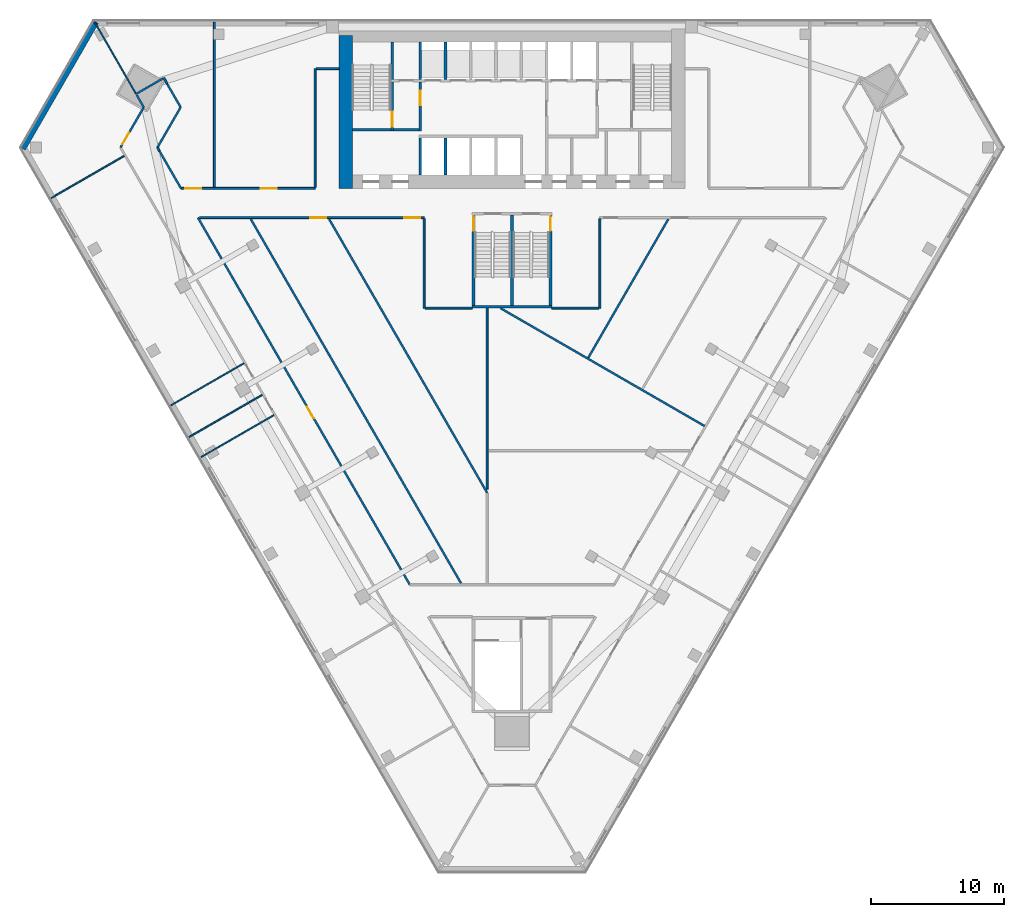
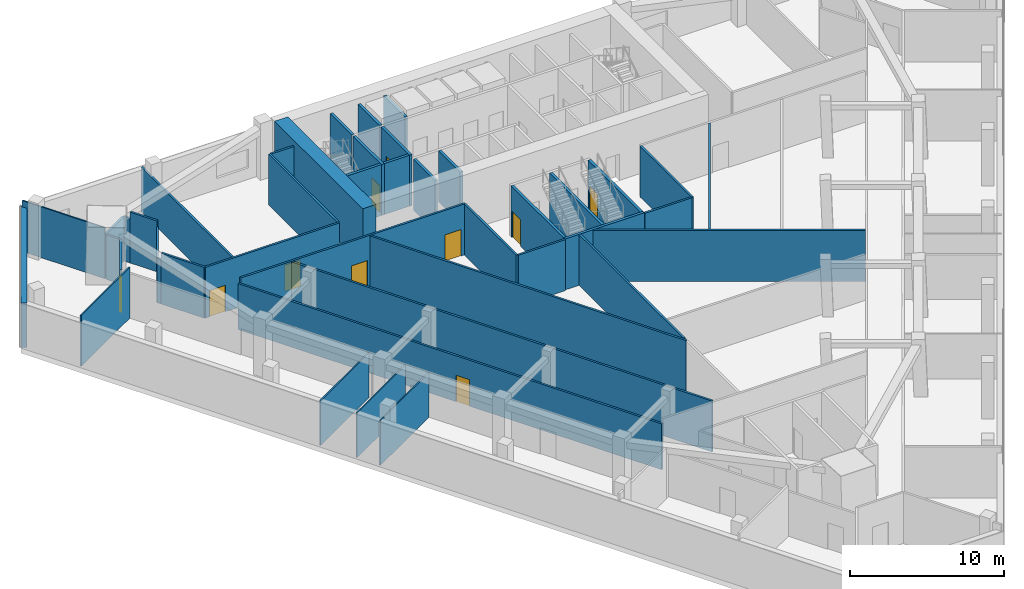
# One storey, part 4 of 9: 43 walls, 10 doors, 10 openings.
"""IFC4 building model written with IfcOpenShell, lengths in metres."""

from ifc_helpers import new_model, si_unit, direction, frame, frame_2d, origin, place, context, subcontext, project, spatial, rectangle, extrude, material, layer, layer_set, type_object, element, fill, save


model = new_model("IFC4")

# Units and contexts
model_context = context("Model", 3, precision=1e-05, world=origin(), true_north=direction((0.0, 1.0)))
body_context = subcontext(model_context, "Body", "Model", "MODEL_VIEW")
ifc_project = project(units=[si_unit("LENGTHUNIT", "METRE"), si_unit("AREAUNIT", "SQUARE_METRE"), si_unit("VOLUMEUNIT", "CUBIC_METRE"), si_unit("PLANEANGLEUNIT", "RADIAN"), si_unit("MASSUNIT", "GRAM", prefix="KILO")], contexts=[model_context])

# Site, building, storey
site_placement = place(None, origin())
site = spatial("IfcSite", under=ifc_project, at=site_placement, CompositionType="ELEMENT")
building_placement = place(site_placement, origin())
building = spatial("IfcBuilding", under=site, at=building_placement, Name="Altiplano Prism Tower", CompositionType="ELEMENT")
storey_placement = place(building_placement, frame((0.0, 0.0, 18.0)))
storey = spatial("IfcBuildingStorey", under=building, at=storey_placement, Name="L03", CompositionType="ELEMENT", Elevation=18.0)

# Walls
ifc_material_1 = material(Name="Concrete C70/85", Category="concrete")
ifc_layer_1 = layer(ifc_material_1, 1.0)
ifc_layer_set_1 = layer_set([ifc_layer_1], Name="Concrete C70/85")
wall_type_1 = type_object("IfcWallType", Name="Core wall 1000", PredefinedType="SHEAR", material=ifc_layer_set_1)
wall_1_placement = place(storey_placement, frame((72.5, 103.89990234375, 0.0), z_axis=(0.0, 0.0, 1.0), x_axis=(0.0, -1.0, 0.0)))
element("IfcWall", 1, at=wall_1_placement, inside=storey, type_object=wall_type_1, Name="Core wall W L03", PredefinedType="SHEAR", context=body_context, shape_type="SweptSolid", body=[
    extrude(rectangle(XDim=11.5, YDim=1.0, at=frame_2d((5.75, 0.0))), origin(), (0.0, 0.0, 1.0), 4.5),
])
ifc_material_2 = material(Name="Plasterboard on steel stud", Category="steel")
ifc_layer_2 = layer(ifc_material_2, 0.10009765625)
ifc_layer_set_2 = layer_set([ifc_layer_2], Name="Plasterboard on steel stud")
wall_type_2 = type_object("IfcWallType", Name="Partition 100 wet", PredefinedType="PARTITIONING", material=ifc_layer_set_2)
wall_2_placement = place(storey_placement, frame((50.368896484375, 91.6826171875, 0.0), z_axis=(0.0, 0.0, 1.0), x_axis=(0.866025537322, 0.499999768706, 0.0)))
element("IfcWall", 2, at=wall_2_placement, inside=storey, type_object=wall_type_2, Name="Partition P03 L03 041", PredefinedType="PARTITIONING", context=body_context, shape_type="SweptSolid", body=[
    extrude(rectangle(XDim=6.3251953125, YDim=0.10009765625, at=frame_2d((3.16259765625, 0.0))), origin(), (0.0, 0.0, 1.0), 4.050048828125),
])
wall_3_placement = place(storey_placement, frame((56.73974609375, 99.5009765625, 0.0), z_axis=(0.0, 0.0, 1.0), x_axis=(-0.500013984911, 0.866017329442, 0.0)))
element("IfcWall", 3, at=wall_3_placement, inside=storey, type_object=wall_type_2, Name="Partition P03 L03 042", PredefinedType="PARTITIONING", context=body_context, shape_type="SweptSolid", body=[
    extrude(rectangle(XDim=6.234130859375, YDim=0.10009765625, at=frame_2d((3.1171875, 0.0))), origin(), (0.0, 0.0, 1.0), 4.050048828125),
])
for number, where, z_axis, x_axis, name in (
    (4, (59.368896484375, 76.09423828125, 0.0), (0.0, 0.0, 1.0), (0.866025537322, 0.499999768706, 0.0), "Partition P03 L03 043"),
    (5, (60.741943359375, 73.716064453125, 0.0), (0.0, 0.0, 1.0), (0.866042250622, 0.499970819286, 0.0), "Partition P03 L03 044"),
    (6, (61.618896484375, 72.197021484375, 0.0), (0.0, 0.0, 1.0), (0.866025537322, 0.499999768706, 0.0), "Partition P03 L03 045"),
):
    element("IfcWall", number, at=place(storey_placement, frame(where, z_axis=z_axis, x_axis=x_axis)), inside=storey, type_object=wall_type_2, Name=name, PredefinedType="PARTITIONING", context=body_context, shape_type="SweptSolid", body=[
        extrude(rectangle(XDim=6.3251953125, YDim=0.10009765625, at=frame_2d((3.16259765625, 0.0))), origin(), (0.0, 0.0, 1.0), 3.550048828125),
    ])
ifc_layer_3 = layer(ifc_material_2, 0.14990234375)
ifc_layer_set_3 = layer_set([ifc_layer_3], Name="Plasterboard on steel stud")
wall_type_3 = type_object("IfcWallType", Name="Partition 150 corridor", PredefinedType="PARTITIONING", material=ifc_layer_set_3)
wall_4_placement = place(storey_placement, frame((56.777099609375, 99.435791015625, 0.0), z_axis=(0.0, 0.0, 1.0), x_axis=(0.500172206961, -0.865925957218, 0.0)))
element("IfcWall", 7, at=wall_4_placement, inside=storey, type_object=wall_type_3, Name="Partition P06 L03 001", PredefinedType="PARTITIONING", context=body_context, shape_type="SweptSolid", body=[
    extrude(rectangle(XDim=1.08056640625, YDim=0.14990234375, at=frame_2d((0.540283203125, 0.0))), origin(), (0.0, 0.0, 1.0), 3.550048828125),
])

# Wall, opening, door
wall_5_placement = place(storey_placement, frame((57.317626953125, 98.5, 0.0), z_axis=(0.0, 0.0, 1.0), x_axis=(-0.500038954607, -0.866002912163, 0.0)))
wall_5 = element("IfcWall", 8, at=wall_5_placement, inside=storey, type_object=wall_type_3, Name="Partition P06 L03 002", PredefinedType="PARTITIONING", context=body_context, shape_type="SweptSolid", body=[
    extrude(rectangle(XDim=3.494384765625, YDim=0.14990234375, at=frame_2d((1.7470703125, 0.0))), origin(), (0.0, 0.0, 1.0), 3.550048828125),
])
opening_1_placement = place(wall_5_placement, frame((2.208984375, 0.0, 0.0)))
opening_1 = element("IfcOpeningElement", 9, at=opening_1_placement, cuts=wall_5, Name="Opening D0082", PredefinedType="OPENING", context=body_context, shape_type="SweptSolid", body=[
    extrude(rectangle(XDim=1.0, YDim=2.10009765625, at=frame_2d((0.5, 1.050048828125))), frame((0.0, 0.08544921875, 0.0), z_axis=(0.0, -1.0, 0.0), x_axis=(1.0, 0.0, 0.0)), (0.0, 0.0, 1.0), 0.1708984375),
])
ifc_material_3 = material(Name="Timber", Category="wood")
door_type_1 = type_object("IfcDoorType", Name="Room door 1000 x 2100", OperationType="NOTDEFINED", PredefinedType="NOTDEFINED", material=ifc_material_3)
door_1_placement = place(opening_1_placement, origin())
door_1 = element("IfcDoor", 10, at=door_1_placement, inside=storey, type_object=door_type_1, Name="Door D0082", OperationType="SINGLE_SWING_RIGHT", OverallHeight=2.10009765625, OverallWidth=1.0, PredefinedType="NOTDEFINED", context=body_context, shape_type="SweptSolid", body=[
    extrude(rectangle(XDim=1.0, YDim=2.10009765625, at=frame_2d((0.5, 1.050048828125))), frame((0.0, 0.02490234375, 0.0), z_axis=(0.0, -1.0, 0.0), x_axis=(1.0, 0.0, 0.0)), (0.0, 0.0, 1.0), 0.050048828125),
])
fill(opening_1, door_1)

wall_6_placement = place(storey_placement, frame((77.32177734375, 62.60107421875, 0.0), z_axis=(0.0, 0.0, 1.0), x_axis=(-0.499998553305, 0.866026239032, 0.0)))
wall_6 = element("IfcWall", 11, at=wall_6_placement, inside=storey, type_object=wall_type_3, Name="Partition P06 L03 009", PredefinedType="PARTITIONING", context=body_context, shape_type="SweptSolid", body=[
    extrude(rectangle(XDim=31.8671875, YDim=0.14990234375, at=frame_2d((15.93359375, 0.0))), origin(), (0.0, 0.0, 1.0), 3.64990234375),
])
opening_2_placement = place(wall_6_placement, frame((14.4560546875, 0.0, 0.0)))
opening_2 = element("IfcOpeningElement", 12, at=opening_2_placement, cuts=wall_6, Name="Opening D0100", PredefinedType="OPENING", context=body_context, shape_type="SweptSolid", body=[
    extrude(rectangle(XDim=1.0, YDim=2.10009765625, at=frame_2d((0.5, 1.050048828125))), frame((0.0, 0.08544921875, 0.0), z_axis=(0.0, -1.0, 0.0), x_axis=(1.0, 0.0, 0.0)), (0.0, 0.0, 1.0), 0.1708984375),
])
door_type_2 = type_object("IfcDoorType", Name="Store door 1000 x 2100", OperationType="NOTDEFINED", PredefinedType="NOTDEFINED", material=ifc_material_3)
door_2_placement = place(opening_2_placement, origin())
door_2 = element("IfcDoor", 13, at=door_2_placement, inside=storey, type_object=door_type_2, Name="Door D0100", OperationType="SINGLE_SWING_LEFT", OverallHeight=2.10009765625, OverallWidth=1.0, PredefinedType="NOTDEFINED", context=body_context, shape_type="SweptSolid", body=[
    extrude(rectangle(XDim=1.0, YDim=2.10009765625, at=frame_2d((0.5, 1.050048828125))), frame((0.0, 0.02490234375, 0.0), z_axis=(0.0, -1.0, 0.0), x_axis=(1.0, 0.0, 0.0)), (0.0, 0.0, 1.0), 0.050048828125),
])
fill(opening_2, door_2)

# Walls
wall_7_placement = place(storey_placement, frame((72.0, 101.40087890625, 0.0), z_axis=(0.0, 0.0, 1.0), x_axis=(-0.999999909973, -0.000424328109, 0.0)))
element("IfcWall", 14, at=wall_7_placement, inside=storey, type_object=wall_type_3, Name="Partition P06 L03 013", PredefinedType="PARTITIONING", context=body_context, shape_type="SweptSolid", body=[
    extrude(rectangle(XDim=1.72607421875, YDim=0.14990234375, at=frame_2d((0.863037109375, 0.0))), origin(), (0.0, 0.0, 1.0), 4.050048828125),
])
wall_8_placement = place(storey_placement, frame((70.198974609375, 101.400146484375, 0.0), z_axis=(0.0, 0.0, 1.0), x_axis=(0.0, -1.0, 0.0)))
element("IfcWall", 15, at=wall_8_placement, inside=storey, type_object=wall_type_3, Name="Partition P06 L03 014", PredefinedType="PARTITIONING", context=body_context, shape_type="SweptSolid", body=[
    extrude(rectangle(XDim=8.924072265625, YDim=0.14990234375, at=frame_2d((4.4619140625, 0.0))), origin(), (0.0, 0.0, 1.0), 4.050048828125),
])

# Wall, openings, doors
wall_9_placement = place(storey_placement, frame((70.198974609375, 92.40087890625, 0.0), z_axis=(0.0, 0.0, 1.0), x_axis=(-1.0, 0.0, 0.0)))
wall_9 = element("IfcWall", 16, at=wall_9_placement, inside=storey, type_object=wall_type_3, Name="Partition P06 L03 015", PredefinedType="PARTITIONING", context=body_context, shape_type="SweptSolid", body=[
    extrude(rectangle(XDim=10.082275390625, YDim=0.14990234375, at=frame_2d((5.041015625, 0.0))), origin(), (0.0, 0.0, 1.0), 4.050048828125),
])
opening_3_placement = place(wall_9_placement, frame((2.887939453125, 0.0, 0.0)))
opening_3 = element("IfcOpeningElement", 17, at=opening_3_placement, cuts=wall_9, Name="Opening D0103", PredefinedType="OPENING", context=body_context, shape_type="SweptSolid", body=[
    extrude(rectangle(XDim=1.199951171875, YDim=2.10009765625, at=frame_2d((0.60009765625, 1.050048828125))), frame((0.0, 0.08544921875, 0.0), z_axis=(0.0, -1.0, 0.0), x_axis=(1.0, 0.0, 0.0)), (0.0, 0.0, 1.0), 0.1708984375),
])
opening_4_placement = place(wall_9_placement, frame((8.570068359375, 0.0, 0.0)))
opening_4 = element("IfcOpeningElement", 18, at=opening_4_placement, cuts=wall_9, Name="Opening D0107", PredefinedType="OPENING", context=body_context, shape_type="SweptSolid", body=[
    extrude(rectangle(XDim=1.199951171875, YDim=2.10009765625, at=frame_2d((0.60009765625, 1.050048828125))), frame((0.0, 0.08544921875, 0.0), z_axis=(0.0, -1.0, 0.0), x_axis=(1.0, 0.0, 0.0)), (0.0, 0.0, 1.0), 0.1708984375),
])
door_type_3 = type_object("IfcDoorType", Name="Shared room door 1200 x 2100", OperationType="NOTDEFINED", PredefinedType="NOTDEFINED", material=ifc_material_3)
door_3_placement = place(opening_3_placement, origin())
door_3 = element("IfcDoor", 19, at=door_3_placement, inside=storey, type_object=door_type_3, Name="Door D0103", OperationType="SINGLE_SWING_RIGHT", OverallHeight=2.10009765625, OverallWidth=1.199951171875, PredefinedType="NOTDEFINED", context=body_context, shape_type="SweptSolid", body=[
    extrude(rectangle(XDim=1.199951171875, YDim=2.10009765625, at=frame_2d((0.60009765625, 1.050048828125))), frame((0.0, 0.02490234375, 0.0), z_axis=(0.0, -1.0, 0.0), x_axis=(1.0, 0.0, 0.0)), (0.0, 0.0, 1.0), 0.050048828125),
])
fill(opening_3, door_3)
door_4_placement = place(opening_4_placement, origin())
door_4 = element("IfcDoor", 20, at=door_4_placement, inside=storey, type_object=door_type_3, Name="Door D0107", OperationType="SINGLE_SWING_LEFT", OverallHeight=2.10009765625, OverallWidth=1.199951171875, PredefinedType="NOTDEFINED", context=body_context, shape_type="SweptSolid", body=[
    extrude(rectangle(XDim=1.199951171875, YDim=2.10009765625, at=frame_2d((0.60009765625, 1.050048828125))), frame((0.0, 0.02490234375, 0.0), z_axis=(0.0, -1.0, 0.0), x_axis=(1.0, 0.0, 0.0)), (0.0, 0.0, 1.0), 0.050048828125),
])
fill(opening_4, door_4)

wall_10_placement = place(storey_placement, frame((61.51806640625, 90.198974609375, 0.0), z_axis=(0.0, 0.0, 1.0), x_axis=(1.0, 0.0, 0.0)))
wall_10 = element("IfcWall", 21, at=wall_10_placement, inside=storey, type_object=wall_type_3, Name="Partition P06 L03 016", PredefinedType="PARTITIONING", context=body_context, shape_type="SweptSolid", body=[
    extrude(rectangle(XDim=16.880859375, YDim=0.14990234375, at=frame_2d((8.4404296875, 0.0))), origin(), (0.0, 0.0, 1.0), 4.050048828125),
])
opening_5_placement = place(wall_10_placement, frame((8.3310546875, 0.0, 0.0)))
opening_5 = element("IfcOpeningElement", 22, at=opening_5_placement, cuts=wall_10, Name="Opening D0098", PredefinedType="OPENING", context=body_context, shape_type="SweptSolid", body=[
    extrude(rectangle(XDim=1.199951171875, YDim=2.10009765625, at=frame_2d((0.60009765625, 1.050048828125))), frame((0.0, 0.08544921875, 0.0), z_axis=(0.0, -1.0, 0.0), x_axis=(1.0, 0.0, 0.0)), (0.0, 0.0, 1.0), 0.1708984375),
])
opening_6_placement = place(wall_10_placement, frame((15.367919921875, 0.0, 0.0)))
opening_6 = element("IfcOpeningElement", 23, at=opening_6_placement, cuts=wall_10, Name="Opening D0104", PredefinedType="OPENING", context=body_context, shape_type="SweptSolid", body=[
    extrude(rectangle(XDim=1.199951171875, YDim=2.10009765625, at=frame_2d((0.60009765625, 1.050048828125))), frame((0.0, 0.08544921875, 0.0), z_axis=(0.0, -1.0, 0.0), x_axis=(1.0, 0.0, 0.0)), (0.0, 0.0, 1.0), 0.1708984375),
])
door_5_placement = place(opening_5_placement, origin())
door_5 = element("IfcDoor", 24, at=door_5_placement, inside=storey, type_object=door_type_3, Name="Door D0098", OperationType="SINGLE_SWING_RIGHT", OverallHeight=2.10009765625, OverallWidth=1.199951171875, PredefinedType="NOTDEFINED", context=body_context, shape_type="SweptSolid", body=[
    extrude(rectangle(XDim=1.199951171875, YDim=2.10009765625, at=frame_2d((0.60009765625, 1.050048828125))), frame((0.0, 0.02490234375, 0.0), z_axis=(0.0, -1.0, 0.0), x_axis=(1.0, 0.0, 0.0)), (0.0, 0.0, 1.0), 0.050048828125),
])
fill(opening_5, door_5)
door_6_placement = place(opening_6_placement, origin())
door_6 = element("IfcDoor", 25, at=door_6_placement, inside=storey, type_object=door_type_3, Name="Door D0104", OperationType="SINGLE_SWING_RIGHT", OverallHeight=2.10009765625, OverallWidth=1.199951171875, PredefinedType="NOTDEFINED", context=body_context, shape_type="SweptSolid", body=[
    extrude(rectangle(XDim=1.199951171875, YDim=2.10009765625, at=frame_2d((0.60009765625, 1.050048828125))), frame((0.0, 0.02490234375, 0.0), z_axis=(0.0, -1.0, 0.0), x_axis=(1.0, 0.0, 0.0)), (0.0, 0.0, 1.0), 0.050048828125),
])
fill(opening_6, door_6)

# Walls
wall_11_placement = place(storey_placement, frame((78.39892578125, 90.1240234375, 0.0), z_axis=(0.0, 0.0, 1.0), x_axis=(3.6305547e-05, -0.999999999341, 0.0)))
element("IfcWall", 26, at=wall_11_placement, inside=storey, type_object=wall_type_3, Name="Partition P06 L03 017", PredefinedType="PARTITIONING", context=body_context, shape_type="SweptSolid", body=[
    extrude(rectangle(XDim=6.724609375, YDim=0.14990234375, at=frame_2d((3.3623046875, 0.0))), origin(), (0.0, 0.0, 1.0), 4.050048828125),
])
wall_12_placement = place(storey_placement, frame((78.47412109375, 83.3994140625, 0.0), z_axis=(0.0, 0.0, 1.0), x_axis=(0.999999990519, -0.000137703111, 0.0)))
element("IfcWall", 27, at=wall_12_placement, inside=storey, type_object=wall_type_3, Name="Partition P06 L03 018", PredefinedType="PARTITIONING", context=body_context, shape_type="SweptSolid", body=[
    extrude(rectangle(XDim=3.5458984375, YDim=0.14990234375, at=frame_2d((1.77294921875, 0.0))), origin(), (0.0, 0.0, 1.0), 4.050048828125),
])
wall_13_placement = place(storey_placement, frame((60.11669921875, 92.40087890625, 0.0), z_axis=(0.0, 0.0, 1.0), x_axis=(-0.499968406128, 0.866043643747, 0.0)))
element("IfcWall", 28, at=wall_13_placement, inside=storey, type_object=wall_type_3, Name="Partition P06 L03 021", PredefinedType="PARTITIONING", context=body_context, shape_type="SweptSolid", body=[
    extrude(rectangle(XDim=3.236572265625, YDim=0.14990234375, at=frame_2d((1.6181640625, 0.0))), origin(), (0.0, 0.0, 1.0), 4.050048828125),
])
wall_14_placement = place(storey_placement, frame((58.49853515625, 95.203857421875, 0.0), z_axis=(0.0, 0.0, 1.0), x_axis=(-0.500016430238, 0.866015917575, 0.0)))
element("IfcWall", 29, at=wall_14_placement, inside=storey, type_object=wall_type_3, Name="Partition P06 L03 022", PredefinedType="PARTITIONING", context=body_context, shape_type="SweptSolid", body=[
    extrude(rectangle(XDim=0.3115234375, YDim=0.14990234375, at=frame_2d((0.15576171875, 0.0))), origin(), (0.0, 0.0, 1.0), 3.550048828125),
])
wall_15_placement = place(storey_placement, frame((58.3427734375, 95.4736328125, 0.0), z_axis=(0.0, 0.0, 1.0), x_axis=(0.499956301907, 0.86605063142, 0.0)))
element("IfcWall", 30, at=wall_15_placement, inside=storey, type_object=wall_type_3, Name="Partition P06 L03 023", PredefinedType="PARTITIONING", context=body_context, shape_type="SweptSolid", body=[
    extrude(rectangle(XDim=3.494384765625, YDim=0.14990234375, at=frame_2d((1.7470703125, 0.0))), origin(), (0.0, 0.0, 1.0), 3.550048828125),
])
wall_16_placement = place(storey_placement, frame((60.08984375, 98.5, 0.0), z_axis=(0.0, 0.0, 1.0), x_axis=(-0.499933676373, 0.866063692362, 0.0)))
element("IfcWall", 31, at=wall_16_placement, inside=storey, type_object=wall_type_3, Name="Partition P06 L03 024", PredefinedType="PARTITIONING", context=body_context, shape_type="SweptSolid", body=[
    extrude(rectangle(XDim=2.034423828125, YDim=0.14990234375, at=frame_2d((1.01708984375, 0.0))), origin(), (0.0, 0.0, 1.0), 4.050048828125),
])
wall_17_placement = place(storey_placement, frame((59.07275390625, 100.261962890625, 0.0), z_axis=(0.0, 0.0, 1.0), x_axis=(-0.500181256421, 0.865920730047, 0.0)))
element("IfcWall", 32, at=wall_17_placement, inside=storey, type_object=wall_type_3, Name="Partition P06 L03 025", PredefinedType="PARTITIONING", context=body_context, shape_type="SweptSolid", body=[
    extrude(rectangle(XDim=0.506591796875, YDim=0.14990234375, at=frame_2d((0.25341796875, 0.0))), origin(), (0.0, 0.0, 1.0), 3.550048828125),
])
wall_18_placement = place(storey_placement, frame((58.75439453125, 100.6630859375, 0.0), z_axis=(0.0, 0.0, 1.0), x_axis=(-0.866220535422, -0.499661869681, 0.0)))
element("IfcWall", 33, at=wall_18_placement, inside=storey, type_object=wall_type_3, Name="Partition P06 L03 026", PredefinedType="PARTITIONING", context=body_context, shape_type="SweptSolid", body=[
    extrude(rectangle(XDim=2.32568359375, YDim=0.14990234375, at=frame_2d((1.162841796875, 0.0))), origin(), (0.0, 0.0, 1.0), 3.550048828125),
])
wall_19_placement = place(storey_placement, frame((87.97998046875, 83.39990234375, 0.0), z_axis=(0.0, 0.0, 1.0), x_axis=(0.99999999763, -6.8851556e-05, 0.0)))
element("IfcWall", 34, at=wall_19_placement, inside=storey, type_object=wall_type_3, Name="Partition P06 L03 033", PredefinedType="PARTITIONING", context=body_context, shape_type="SweptSolid", body=[
    extrude(rectangle(XDim=3.5458984375, YDim=0.14990234375, at=frame_2d((1.77294921875, 0.0))), origin(), (0.0, 0.0, 1.0), 4.050048828125),
])
wall_20_placement = place(storey_placement, frame((91.600830078125, 83.3994140625, 0.0), z_axis=(0.0, 0.0, 1.0), x_axis=(3.6305547e-05, 0.999999999341, 0.0)))
element("IfcWall", 35, at=wall_20_placement, inside=storey, type_object=wall_type_3, Name="Partition P06 L03 034", PredefinedType="PARTITIONING", context=body_context, shape_type="SweptSolid", body=[
    extrude(rectangle(XDim=6.724609375, YDim=0.14990234375, at=frame_2d((3.3623046875, 0.0))), origin(), (0.0, 0.0, 1.0), 4.050048828125),
])
ifc_layer_4 = layer(ifc_material_2, 0.14990234375)
ifc_layer_set_4 = layer_set([ifc_layer_4], Name="Plasterboard on steel stud")
wall_type_4 = type_object("IfcWallType", Name="Partition 150 party", PredefinedType="PARTITIONING", material=ifc_layer_set_4)
wall_21_placement = place(storey_placement, frame((65.36572265625, 90.08642578125, 0.0), z_axis=(0.0, 0.0, 1.0), x_axis=(0.499997032887, -0.866027116841, 0.0)))
element("IfcWall", 36, at=wall_21_placement, inside=storey, type_object=wall_type_4, Name="Partition P01 L03 061", PredefinedType="PARTITIONING", context=body_context, shape_type="SweptSolid", body=[
    extrude(rectangle(XDim=31.607666015625, YDim=0.14990234375, at=frame_2d((15.8037109375, 0.0))), origin(), (0.0, 0.0, 1.0), 4.050048828125),
])
wall_22_placement = place(storey_placement, frame((83.136962890625, 69.507080078125, 0.0), z_axis=(0.0, 0.0, 1.0), x_axis=(-0.499995482706, 0.86602801183, 0.0)))
element("IfcWall", 37, at=wall_22_placement, inside=storey, type_object=wall_type_4, Name="Partition P01 L03 062", PredefinedType="PARTITIONING", context=body_context, shape_type="SweptSolid", body=[
    extrude(rectangle(XDim=23.762939453125, YDim=0.14990234375, at=frame_2d((11.88134765625, 0.0))), origin(), (0.0, 0.0, 1.0), 4.050048828125),
])
wall_23_placement = place(storey_placement, frame((83.136962890625, 83.39990234375, 0.0), z_axis=(0.0, 0.0, 1.0), x_axis=(0.0, -1.0, 0.0)))
element("IfcWall", 38, at=wall_23_placement, inside=storey, type_object=wall_type_4, Name="Partition P01 L03 064", PredefinedType="PARTITIONING", context=body_context, shape_type="SweptSolid", body=[
    extrude(rectangle(XDim=13.613037109375, YDim=0.14990234375, at=frame_2d((6.806640625, 0.0))), origin(), (0.0, 0.0, 1.0), 4.050048828125),
])
wall_24_placement = place(storey_placement, frame((99.481201171875, 74.533935546875, 0.0), z_axis=(0.0, 0.0, 1.0), x_axis=(-0.866027382709, 0.499996572386, 0.0)))
element("IfcWall", 39, at=wall_24_placement, inside=storey, type_object=wall_type_4, Name="Partition P01 L03 065", PredefinedType="PARTITIONING", context=body_context, shape_type="SweptSolid", body=[
    extrude(rectangle(XDim=17.73193359375, YDim=0.14990234375, at=frame_2d((8.865966796875, 0.0))), origin(), (0.0, 0.0, 1.0), 4.050048828125),
])
wall_25_placement = place(storey_placement, frame((62.626953125, 104.89990234375, 0.0), z_axis=(0.0, 0.0, 1.0), x_axis=(0.0, -1.0, 0.0)))
element("IfcWall", 40, at=wall_25_placement, inside=storey, type_object=wall_type_4, Name="Partition P01 L03 067", PredefinedType="PARTITIONING", context=body_context, shape_type="SweptSolid", body=[
    extrude(rectangle(XDim=12.423828125, YDim=0.14990234375, at=frame_2d((6.2119140625, 0.0))), origin(), (0.0, 0.0, 1.0), 3.550048828125),
])
wall_26_placement = place(storey_placement, frame((96.74951171875, 90.08642578125, 0.0), z_axis=(0.0, 0.0, 1.0), x_axis=(-0.500011773818, -0.866018606061, 0.0)))
element("IfcWall", 41, at=wall_26_placement, inside=storey, type_object=wall_type_4, Name="Partition P01 L03 069", PredefinedType="PARTITIONING", context=body_context, shape_type="SweptSolid", body=[
    extrude(rectangle(XDim=12.028076171875, YDim=0.14990234375, at=frame_2d((6.01416015625, 0.0))), origin(), (0.0, 0.0, 1.0), 4.050048828125),
])
ifc_material_4 = material(Name="Concrete C60/75", Category="concrete")
ifc_layer_5 = layer(ifc_material_4, 0.199951171875)
ifc_layer_set_5 = layer_set([ifc_layer_5], Name="Concrete C60/75")
wall_type_5 = type_object("IfcWallType", Name="Shaft wall 200", PredefinedType="SOLIDWALL", material=ifc_layer_set_5)
for number, where, z_axis, x_axis, name in (
    (42, (78.10009765625, 93.39990234375, 0.0), (0.0, 0.0, 1.0), (0.0, 1.0, 0.0), "Shaft wall L03"),
    (43, (80.0, 93.39990234375, 0.0), (0.0, 0.0, 1.0), (0.0, 1.0, 0.0), "Shaft wall L03"),
):
    element("IfcWall", number, at=place(storey_placement, frame(where, z_axis=z_axis, x_axis=x_axis)), inside=storey, type_object=wall_type_5, Name=name, PredefinedType="SOLIDWALL", context=body_context, shape_type="SweptSolid", body=[
        extrude(rectangle(XDim=2.800048828125, YDim=0.199951171875, at=frame_2d((1.39990234375, 0.0))), origin(), (0.0, 0.0, 1.0), 4.050048828125),
    ])
for number, where, z_axis, x_axis, name in (
    (44, (78.10009765625, 100.60009765625, 0.0), (0.0, 0.0, 1.0), (0.0, 1.0, 0.0), "Shaft wall L03"),
    (45, (80.0, 100.60009765625, 0.0), (0.0, 0.0, 1.0), (0.0, 1.0, 0.0), "Shaft wall L03"),
):
    element("IfcWall", number, at=place(storey_placement, frame(where, z_axis=z_axis, x_axis=x_axis)), inside=storey, type_object=wall_type_5, Name=name, PredefinedType="SOLIDWALL", context=body_context, shape_type="SweptSolid", body=[
        extrude(rectangle(XDim=2.7998046875, YDim=0.199951171875, at=frame_2d((1.39990234375, 0.0))), origin(), (0.0, 0.0, 1.0), 4.050048828125),
    ])
ifc_layer_6 = layer(ifc_material_4, 0.199951171875)
ifc_layer_set_6 = layer_set([ifc_layer_6], Name="Concrete C60/75")
wall_type_6 = type_object("IfcWallType", Name="Stair wall 200", PredefinedType="SOLIDWALL", material=ifc_layer_set_6)
wall_27_placement = place(storey_placement, frame((73.0, 96.800048828125, 0.0), z_axis=(0.0, 0.0, 1.0), x_axis=(1.0, 0.0, 0.0)))
element("IfcWall", 46, at=wall_27_placement, inside=storey, type_object=wall_type_6, Name="Stair wall L03", PredefinedType="SOLIDWALL", context=body_context, shape_type="SweptSolid", body=[
    extrude(rectangle(XDim=2.89990234375, YDim=0.199951171875, at=frame_2d((1.449951171875, 0.0))), origin(), (0.0, 0.0, 1.0), 4.050048828125),
])

# Wall, opening, door
wall_28_placement = place(storey_placement, frame((76.0, 96.699951171875, 0.0), z_axis=(0.0, 0.0, 1.0), x_axis=(0.0, 1.0, 0.0)))
wall_28 = element("IfcWall", 47, at=wall_28_placement, inside=storey, type_object=wall_type_6, Name="Stair wall L03", PredefinedType="SOLIDWALL", context=body_context, shape_type="SweptSolid", body=[
    extrude(rectangle(XDim=3.699951171875, YDim=0.199951171875, at=frame_2d((1.85009765625, 0.0))), origin(), (0.0, 0.0, 1.0), 4.050048828125),
])
opening_7_placement = place(wall_28_placement, frame((0.35009765625, 0.0, 0.0)))
opening_7 = element("IfcOpeningElement", 48, at=opening_7_placement, cuts=wall_28, Name="Opening D2626", PredefinedType="OPENING", context=body_context, shape_type="SweptSolid", body=[
    extrude(rectangle(XDim=1.10009765625, YDim=2.10009765625, at=frame_2d((0.550048828125, 1.050048828125))), frame((0.0, 0.1103515625, 0.0), z_axis=(0.0, -1.0, 0.0), x_axis=(1.0, 0.0, 0.0)), (0.0, 0.0, 1.0), 0.220947265625),
])
ifc_material_5 = material(Name="Fire-rated steel door", Category="steel")
door_type_4 = type_object("IfcDoorType", Name="Stair fire door 1100 x 2100", OperationType="NOTDEFINED", PredefinedType="NOTDEFINED", material=ifc_material_5)
door_7_placement = place(opening_7_placement, origin())
door_7 = element("IfcDoor", 49, at=door_7_placement, inside=storey, type_object=door_type_4, Name="Stair fire door D2626", OperationType="SINGLE_SWING_RIGHT", OverallHeight=2.10009765625, OverallWidth=1.10009765625, PredefinedType="NOTDEFINED", context=body_context, shape_type="SweptSolid", body=[
    extrude(rectangle(XDim=1.10009765625, YDim=2.10009765625, at=frame_2d((0.550048828125, 1.050048828125))), frame((0.0, 0.02490234375, 0.0), z_axis=(0.0, -1.0, 0.0), x_axis=(1.0, 0.0, 0.0)), (0.0, 0.0, 1.0), 0.050048828125),
])
fill(opening_7, door_7)

# Walls
wall_29_placement = place(storey_placement, frame((76.0, 100.60009765625, 0.0), z_axis=(0.0, 0.0, 1.0), x_axis=(0.0, 1.0, 0.0)))
element("IfcWall", 50, at=wall_29_placement, inside=storey, type_object=wall_type_6, Name="Stair wall L03", PredefinedType="SOLIDWALL", context=body_context, shape_type="SweptSolid", body=[
    extrude(rectangle(XDim=2.7998046875, YDim=0.199951171875, at=frame_2d((1.39990234375, 0.0))), origin(), (0.0, 0.0, 1.0), 4.050048828125),
])
wall_30_placement = place(storey_placement, frame((82.0, 83.5, 0.0), z_axis=(0.0, 0.0, 1.0), x_axis=(1.0, 0.0, 0.0)))
element("IfcWall", 51, at=wall_30_placement, inside=storey, type_object=wall_type_6, Name="Stair 3 wall south L03", PredefinedType="SOLIDWALL", context=body_context, shape_type="SweptSolid", body=[
    extrude(rectangle(XDim=6.0, YDim=0.199951171875, at=frame_2d((3.0, 0.0))), origin(), (0.0, 0.0, 1.0), 4.050048828125),
])

# Wall, opening, door
wall_31_placement = place(storey_placement, frame((82.10009765625, 83.60009765625, 0.0), z_axis=(0.0, 0.0, 1.0), x_axis=(0.0, 1.0, 0.0)))
wall_31 = element("IfcWall", 52, at=wall_31_placement, inside=storey, type_object=wall_type_6, Name="Stair 3 wall west L03", PredefinedType="SOLIDWALL", context=body_context, shape_type="SweptSolid", body=[
    extrude(rectangle(XDim=6.7998046875, YDim=0.199951171875, at=frame_2d((3.39990234375, 0.0))), origin(), (0.0, 0.0, 1.0), 4.050048828125),
])
opening_8_placement = place(wall_31_placement, frame((5.60009765625, 0.0, 0.0)))
opening_8 = element("IfcOpeningElement", 53, at=opening_8_placement, cuts=wall_31, Name="Opening D3925", PredefinedType="OPENING", context=body_context, shape_type="SweptSolid", body=[
    extrude(rectangle(XDim=1.10009765625, YDim=2.10009765625, at=frame_2d((0.550048828125, 1.050048828125))), frame((0.0, 0.1103515625, 0.0), z_axis=(0.0, -1.0, 0.0), x_axis=(1.0, 0.0, 0.0)), (0.0, 0.0, 1.0), 0.220947265625),
])
door_8_placement = place(opening_8_placement, origin())
door_8 = element("IfcDoor", 54, at=door_8_placement, inside=storey, type_object=door_type_4, Name="Stair fire door D3925", OperationType="SINGLE_SWING_LEFT", OverallHeight=2.10009765625, OverallWidth=1.10009765625, PredefinedType="NOTDEFINED", context=body_context, shape_type="SweptSolid", body=[
    extrude(rectangle(XDim=1.10009765625, YDim=2.10009765625, at=frame_2d((0.550048828125, 1.050048828125))), frame((0.0, 0.02490234375, 0.0), z_axis=(0.0, -1.0, 0.0), x_axis=(1.0, 0.0, 0.0)), (0.0, 0.0, 1.0), 0.050048828125),
])
fill(opening_8, door_8)

wall_32_placement = place(storey_placement, frame((87.89990234375, 83.60009765625, 0.0), z_axis=(0.0, 0.0, 1.0), x_axis=(0.0, 1.0, 0.0)))
wall_32 = element("IfcWall", 55, at=wall_32_placement, inside=storey, type_object=wall_type_6, Name="Stair 3 wall east L03", PredefinedType="SOLIDWALL", context=body_context, shape_type="SweptSolid", body=[
    extrude(rectangle(XDim=6.7998046875, YDim=0.199951171875, at=frame_2d((3.39990234375, 0.0))), origin(), (0.0, 0.0, 1.0), 4.050048828125),
])
opening_9_placement = place(wall_32_placement, frame((5.60009765625, 0.0, 0.0)))
opening_9 = element("IfcOpeningElement", 56, at=opening_9_placement, cuts=wall_32, Name="Opening D3927", PredefinedType="OPENING", context=body_context, shape_type="SweptSolid", body=[
    extrude(rectangle(XDim=1.10009765625, YDim=2.10009765625, at=frame_2d((0.550048828125, 1.050048828125))), frame((0.0, 0.1103515625, 0.0), z_axis=(0.0, -1.0, 0.0), x_axis=(1.0, 0.0, 0.0)), (0.0, 0.0, 1.0), 0.220947265625),
])
door_9_placement = place(opening_9_placement, frame((1.10009765625, 0.0, 0.0), z_axis=(0.0, 0.0, 1.0), x_axis=(-1.0, 0.0, 0.0)))
door_9 = element("IfcDoor", 57, at=door_9_placement, inside=storey, type_object=door_type_4, Name="Stair fire door D3927", OperationType="SINGLE_SWING_LEFT", OverallHeight=2.10009765625, OverallWidth=1.10009765625, PredefinedType="NOTDEFINED", context=body_context, shape_type="SweptSolid", body=[
    extrude(rectangle(XDim=1.10009765625, YDim=2.10009765625, at=frame_2d((0.550048828125, 1.050048828125))), frame((0.0, 0.02490234375, 0.0), z_axis=(0.0, -1.0, 0.0), x_axis=(1.0, 0.0, 0.0)), (0.0, 0.0, 1.0), 0.050048828125),
])
fill(opening_9, door_9)

# Walls
wall_33_placement = place(storey_placement, frame((85.0, 83.60009765625, 0.0), z_axis=(0.0, 0.0, 1.0), x_axis=(0.0, 1.0, 0.0)))
element("IfcWall", 58, at=wall_33_placement, inside=storey, type_object=wall_type_6, Name="Stair 3 wall divider L03", PredefinedType="SOLIDWALL", context=body_context, shape_type="SweptSolid", body=[
    extrude(rectangle(XDim=6.7998046875, YDim=0.199951171875, at=frame_2d((3.39990234375, 0.0))), origin(), (0.0, 0.0, 1.0), 4.050048828125),
])
ifc_material_6 = material(Name="Concrete C40", Category="concrete")
ifc_layer_7 = layer(ifc_material_6, 0.39990234375)
ifc_layer_set_7 = layer_set([ifc_layer_7], Name="Concrete C40")
wall_type_7 = type_object("IfcWallType", Name="Stone-clad podium wall 400", PredefinedType="SOLIDWALL", material=ifc_layer_set_7)
wall_34_placement = place(storey_placement, frame((48.238037109375, 95.373779296875, 0.0), z_axis=(0.0, 0.0, 1.0), x_axis=(0.50000615651, 0.866021849293, 0.0)))
element("IfcWall", 59, at=wall_34_placement, inside=storey, type_object=wall_type_7, Name="External wall north-west chamfer L03", PredefinedType="SOLIDWALL", context=body_context, shape_type="SweptSolid", body=[
    extrude(rectangle(XDim=10.999755859375, YDim=0.39990234375, at=frame_2d((5.5, 0.0))), origin(), (0.0, 0.0, 1.0), 3.550048828125),
])
ifc_layer_8 = layer(ifc_material_4, 0.199951171875)
ifc_layer_set_8 = layer_set([ifc_layer_8], Name="Concrete C60/75")
wall_type_8 = type_object("IfcWallType", Name="Vestibule wall 200", PredefinedType="PARTITIONING", material=ifc_layer_set_8)
wall_35_placement = place(storey_placement, frame((76.10009765625, 96.800048828125, 0.0), z_axis=(0.0, 0.0, 1.0), x_axis=(1.0, 0.0, 0.0)))
element("IfcWall", 60, at=wall_35_placement, inside=storey, type_object=wall_type_8, Name="Vestibule wall L03", PredefinedType="PARTITIONING", context=body_context, shape_type="SweptSolid", body=[
    extrude(rectangle(XDim=1.89990234375, YDim=0.199951171875, at=frame_2d((0.949951171875, 0.0))), origin(), (0.0, 0.0, 1.0), 4.050048828125),
])

# Wall, opening, door
wall_36_placement = place(storey_placement, frame((78.10009765625, 96.699951171875, 0.0), z_axis=(0.0, 0.0, 1.0), x_axis=(0.0, 1.0, 0.0)))
wall_36 = element("IfcWall", 61, at=wall_36_placement, inside=storey, type_object=wall_type_8, Name="Vestibule wall L03", PredefinedType="PARTITIONING", context=body_context, shape_type="SweptSolid", body=[
    extrude(rectangle(XDim=3.699951171875, YDim=0.199951171875, at=frame_2d((1.85009765625, 0.0))), origin(), (0.0, 0.0, 1.0), 4.050048828125),
])
opening_10_placement = place(wall_36_placement, frame((1.949951171875, 0.0, 0.0)))
opening_10 = element("IfcOpeningElement", 62, at=opening_10_placement, cuts=wall_36, Name="Opening D2628", PredefinedType="OPENING", context=body_context, shape_type="SweptSolid", body=[
    extrude(rectangle(XDim=1.10009765625, YDim=2.10009765625, at=frame_2d((0.550048828125, 1.050048828125))), frame((0.0, 0.1103515625, 0.0), z_axis=(0.0, -1.0, 0.0), x_axis=(1.0, 0.0, 0.0)), (0.0, 0.0, 1.0), 0.220947265625),
])
door_type_5 = type_object("IfcDoorType", Name="Vestibule fire door 1100 x 2100", OperationType="NOTDEFINED", PredefinedType="NOTDEFINED", material=ifc_material_5)
door_10_placement = place(opening_10_placement, origin())
door_10 = element("IfcDoor", 63, at=door_10_placement, inside=storey, type_object=door_type_5, Name="Vestibule fire door D2628", OperationType="SINGLE_SWING_LEFT", OverallHeight=2.10009765625, OverallWidth=1.10009765625, PredefinedType="NOTDEFINED", context=body_context, shape_type="SweptSolid", body=[
    extrude(rectangle(XDim=1.10009765625, YDim=2.10009765625, at=frame_2d((0.550048828125, 1.050048828125))), frame((0.0, 0.02490234375, 0.0), z_axis=(0.0, -1.0, 0.0), x_axis=(1.0, 0.0, 0.0)), (0.0, 0.0, 1.0), 0.050048828125),
])
fill(opening_10, door_10)

save(model, "model.ifc")
